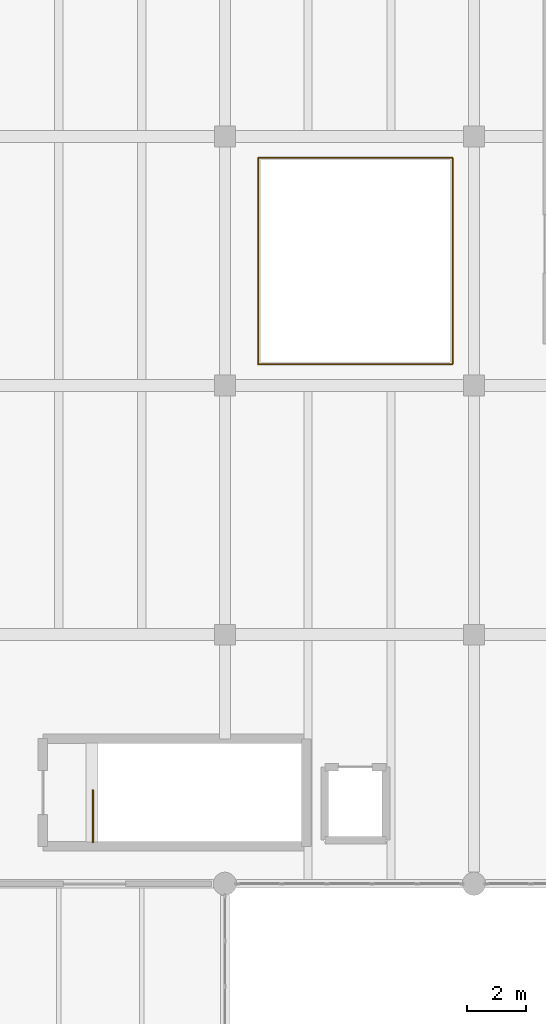
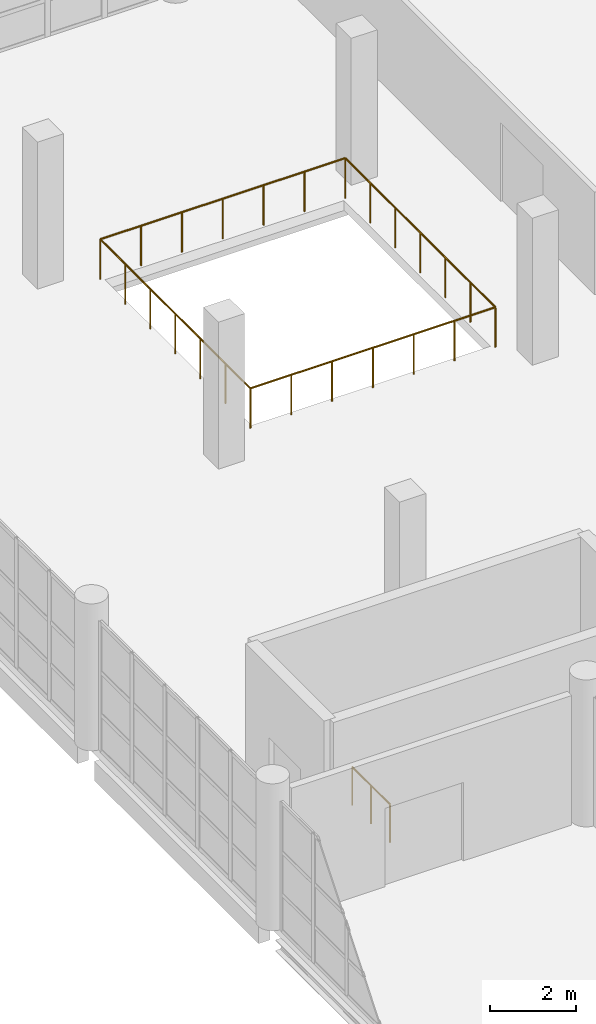
# One storey, part 168 of 177: 2 railings.
"""IFC4 building model written with IfcOpenShell, lengths in metres."""

import ifcopenshell
import ifcopenshell.guid

model = None  # the IFC model being written
_history = None  # IfcOwnerHistory: only IFC2X3 demands one
_inside = {}  # id of a spatial element -> (the spatial element, [elements in it])
_under = {}  # id of a project, library or spatial element -> (it, [spatial elements below it])
_declared = {}  # id of a project -> (the project, [libraries it declares])
_typed = {}  # id of a type object -> (the type object, [elements of that type])
_made_of = {}  # id of a material, layer set ... -> (it, [elements and type objects made of it])


def new_model(schema):
    """Start an empty IFC model of exactly this schema.

    Asked for "IFC4X3", IfcOpenShell would pick the latest addendum, in which some entities
    have other attributes; the version numbers below select the first issue.
    IFC2X3 requires an IfcOwnerHistory on every rooted entity: one is made here for all.
    """
    global model, _history
    if schema == "IFC4X3":
        model = ifcopenshell.file(schema_version=(4, 3, 0, 0))
    else:
        model = ifcopenshell.file(schema=schema)
    _inside.clear()
    _under.clear()
    _declared.clear()
    _typed.clear()
    _made_of.clear()
    _history = None
    if model.schema == "IFC2X3":
        org = make("IfcOrganization", Name="unknown")
        user = make(
            "IfcPersonAndOrganization",
            ThePerson=make("IfcPerson", FamilyName="unknown"),
            TheOrganization=org,
        )
        app = make(
            "IfcApplication",
            ApplicationDeveloper=org,
            Version="unknown",
            ApplicationFullName="unknown",
            ApplicationIdentifier="unknown",
        )
        _history = make(
            "IfcOwnerHistory",
            OwningUser=user,
            OwningApplication=app,
            ChangeAction="ADDED",
            CreationDate=0,
        )
    return model


def make(cls, **values):
    """One entity of the class cls with the attributes given. An attribute that is None is left unset."""
    return model.create_entity(
        cls, **{name: value for name, value in values.items() if value is not None}
    )


def rooted(cls, **values):
    """An entity with a GlobalId (a new one), such as an element, a storey or a relation."""
    return make(cls, GlobalId=ifcopenshell.guid.new(), OwnerHistory=_history, **values)


def si_unit(unit_type, name, prefix=None):
    """IfcSIUnit, for example si_unit("LENGTHUNIT", "METRE", prefix="MILLI")."""
    return make("IfcSIUnit", UnitType=unit_type, Prefix=prefix, Name=name)


def assignment(units):
    """IfcUnitAssignment: the units of a project."""
    return None if units is None else make("IfcUnitAssignment", Units=units)


def point(xyz):
    """IfcCartesianPoint."""
    return None if xyz is None else make("IfcCartesianPoint", Coordinates=xyz)


def direction(xyz):
    """IfcDirection."""
    return None if xyz is None else make("IfcDirection", DirectionRatios=xyz)


def frame(location, z_axis=None, x_axis=None):
    """IfcAxis2Placement3D, a coordinate frame: its origin and axes. An axis left out is left unset."""
    return make(
        "IfcAxis2Placement3D",
        Location=point(location),
        Axis=direction(z_axis),
        RefDirection=direction(x_axis),
    )


def frame_2d(location, x_axis=None):
    """IfcAxis2Placement2D, a coordinate frame in the plane: its origin and x axis."""
    return make(
        "IfcAxis2Placement2D", Location=point(location), RefDirection=direction(x_axis)
    )


def origin():
    """The frame at (0, 0, 0) with its axes left unset."""
    return frame((0.0, 0.0, 0.0))


def origin_2d():
    """The frame at (0, 0) in the plane with its x axis left unset."""
    return frame_2d((0.0, 0.0))


def place(relative_to, where):
    """IfcLocalPlacement: puts the frame where relative to a parent placement (None: the world)."""
    return make(
        "IfcLocalPlacement", PlacementRelTo=relative_to, RelativePlacement=where
    )


def context(
    kind, dimensions, precision=None, world=None, true_north=None, identifier=None
):
    """IfcGeometricRepresentationContext, for example the 3D "Model" context."""
    return make(
        "IfcGeometricRepresentationContext",
        ContextIdentifier=identifier,
        ContextType=kind,
        CoordinateSpaceDimension=dimensions,
        Precision=precision,
        WorldCoordinateSystem=world,
        TrueNorth=true_north,
    )


def subcontext(parent, identifier, kind, view, scale=None):
    """IfcGeometricRepresentationSubContext, for example "Body" below "Model"."""
    return make(
        "IfcGeometricRepresentationSubContext",
        ContextIdentifier=identifier,
        ContextType=kind,
        ParentContext=parent,
        TargetScale=scale,
        TargetView=view,
    )


def project(units=None, contexts=None):
    """IfcProject with its units and contexts."""
    return rooted(
        "IfcProject",
        Name="project",
        RepresentationContexts=contexts,
        UnitsInContext=assignment(units),
    )


def spatial(cls, under=None, at=None, **own):
    """A site, building, storey or space (cls), placed at a placement, below another one or the project."""
    s = rooted(cls, ObjectPlacement=at, **own)
    if under is not None:
        _under.setdefault(under.id(), (under, []))[1].append(s)
    return s


def profile(cls, at=None, kind="AREA", **sizes):
    """A parametric profile (cls). Its sizes go by their IFC names, for example OverallWidth=200.0."""
    return make(cls, ProfileType=kind, Position=at, **sizes)


def circle(**sizes):
    """IfcCircleProfileDef."""
    return profile("IfcCircleProfileDef", **sizes)


def extrude(swept, where, along, depth):
    """IfcExtrudedAreaSolid: the profile swept, set in the frame where, extruded along a direction by depth."""
    return make(
        "IfcExtrudedAreaSolid",
        SweptArea=swept,
        Position=where,
        ExtrudedDirection=direction(along),
        Depth=depth,
    )


def shape(context_of_items, identifier, shape_type, items):
    """IfcShapeRepresentation: the items that make up one representation, for example the "Body"."""
    return make(
        "IfcShapeRepresentation",
        ContextOfItems=context_of_items,
        RepresentationIdentifier=identifier,
        RepresentationType=shape_type,
        Items=items,
    )


def material(Name=None, Category=None):
    """IfcMaterial."""
    return make("IfcMaterial", Name=Name, Category=Category)


def made_of(thing, what):
    """Note that an element or type object is made of a material, layer set ...; save() writes the relation."""
    if what is not None:
        _made_of.setdefault(what.id(), (what, []))[1].append(thing)
    return thing


def type_object(cls, material=None, **own):
    """A type object (cls), such as IfcWallType, which elements share."""
    return made_of(rooted(cls, **own), material)


def element(
    cls,
    number,
    at=None,
    inside=None,
    cuts=None,
    type_object=None,
    material=None,
    context=None,
    identifier="Body",
    shape_type=None,
    held_by="IfcProductDefinitionShape",
    body=None,
    shapes=None,
    **own,
):
    """One element of the class cls, such as IfcWall. Its Tag is "e" and its number.

    at: its placement. inside: the storey or other place that contains it. cuts: it is an
    opening in that element (IfcRelVoidsElement). A single representation is given by context,
    identifier, shape_type and body (its items); several are given by shapes. held_by: the class
    of the entity that holds the representations. save() writes the other relations.
    """
    e = rooted(cls, Tag="e%d" % number, ObjectPlacement=at, **own)
    if body is not None:
        shapes = [shape(context, identifier, shape_type, body)]
    if shapes is not None:
        e.Representation = make(held_by, Representations=shapes)
    if inside is not None:
        _inside.setdefault(inside.id(), (inside, []))[1].append(e)
    if cuts is not None:
        rooted(
            "IfcRelVoidsElement", RelatingBuildingElement=cuts, RelatedOpeningElement=e
        )
    if type_object is not None:
        _typed.setdefault(type_object.id(), (type_object, []))[1].append(e)
    return made_of(e, material)


def aggregate(whole, parts):
    """IfcRelAggregates: a whole, such as a stair, and the parts it consists of."""
    return rooted("IfcRelAggregates", RelatingObject=whole, RelatedObjects=parts)


def save(model, path):
    """Write the relations noted so far, then the file.

    IfcRelAggregates (storeys below a building ...), IfcRelContainedInSpatialStructure (elements
    in a storey), IfcRelDefinesByType, IfcRelAssociatesMaterial and IfcRelDeclares: one each for
    every whole, place, type object, material and project.
    """
    for whole, parts in _under.values():
        aggregate(whole, parts)
    for where, things in _inside.values():
        rooted(
            "IfcRelContainedInSpatialStructure",
            RelatedElements=things,
            RelatingStructure=where,
        )
    for kind, things in _typed.values():
        rooted("IfcRelDefinesByType", RelatedObjects=things, RelatingType=kind)
    for what, things in _made_of.values():
        rooted("IfcRelAssociatesMaterial", RelatedObjects=things, RelatingMaterial=what)
    for by, libraries in _declared.values():
        rooted("IfcRelDeclares", RelatingContext=by, RelatedDefinitions=libraries)
    model.write(path)


model = new_model("IFC4")

# Units and contexts
model_context = context("Model", 3, precision=1e-05, world=origin(), true_north=direction((0.0, 1.0)))
body_context = subcontext(model_context, "Body", "Model", "MODEL_VIEW")
ifc_project = project(units=[si_unit("LENGTHUNIT", "METRE"), si_unit("AREAUNIT", "SQUARE_METRE"), si_unit("VOLUMEUNIT", "CUBIC_METRE"), si_unit("PLANEANGLEUNIT", "RADIAN"), si_unit("MASSUNIT", "GRAM", prefix="KILO"), si_unit("THERMODYNAMICTEMPERATUREUNIT", "KELVIN"), si_unit("POWERUNIT", "WATT")], contexts=[model_context])

# Site, building, storey
site_placement = place(None, origin())
site = spatial("IfcSite", under=ifc_project, at=site_placement, CompositionType="ELEMENT")
building_placement = place(site_placement, origin())
building = spatial("IfcBuilding", under=site, at=building_placement, Name="Mavoryth Pier Ferry Terminal", CompositionType="ELEMENT")
storey_placement = place(building_placement, frame((0.0, 0.0, 5.43994140625)))
storey = spatial("IfcBuildingStorey", under=building, at=storey_placement, Name="L01", CompositionType="ELEMENT", Elevation=5.43994140625)

# Railings
ifc_material_1 = material(Name="Bronze-Anodised Aluminium and Glass Balustrade", Category="aluminium")
railing_type_1 = type_object("IfcRailingType", Name="Guard-Atrium-Bronze1150", PredefinedType="GUARDRAIL", material=ifc_material_1)
railing_1_placement = place(storey_placement, frame((59.919921875, 89.919921875, 0.0)))
element("IfcRailing", 1, at=railing_1_placement, inside=storey, type_object=railing_type_1, Name="Guardrail GRD-L01-004", PredefinedType="GUARDRAIL", context=body_context, shape_type="SweptSolid", body=[
    extrude(circle(Radius=0.02392578125, at=origin_2d()), frame((0.0, 0.0, 1.1259765625), z_axis=(1.0, 0.0, 0.0), x_axis=(0.0, 1.0, 0.0)), (0.0, 0.0, 1.0), 6.56005859375),
    extrude(circle(Radius=0.02392578125, at=origin_2d()), frame((6.56005859375, 0.0, 1.1259765625), z_axis=(0.0, 1.0, 0.0), x_axis=(-1.0, 0.0, 0.0)), (0.0, 0.0, 1.0), 6.9599609375),
    extrude(circle(Radius=0.02392578125, at=origin_2d()), frame((6.56005859375, 6.9599609375, 1.1259765625), z_axis=(-1.0, 0.0, 0.0), x_axis=(0.0, -1.0, 0.0)), (0.0, 0.0, 1.0), 6.56005859375),
    extrude(circle(Radius=0.02392578125, at=origin_2d()), frame((0.0, 6.9599609375, 1.1259765625), z_axis=(0.0, -1.0, 0.0), x_axis=(1.0, 0.0, 0.0)), (0.0, 0.0, 1.0), 6.9599609375),
    extrude(circle(Radius=0.02099609375, at=origin_2d()), origin(), (0.0, 0.0, 1.0), 1.101806640625),
    extrude(circle(Radius=0.02099609375, at=origin_2d()), frame((1.09326171875, 0.0, 0.0)), (0.0, 0.0, 1.0), 1.101806640625),
    extrude(circle(Radius=0.02099609375, at=origin_2d()), frame((2.186767578125, 0.0, 0.0)), (0.0, 0.0, 1.0), 1.101806640625),
    extrude(circle(Radius=0.02099609375, at=origin_2d()), frame((3.280029296875, 0.0, 0.0)), (0.0, 0.0, 1.0), 1.101806640625),
    extrude(circle(Radius=0.02099609375, at=origin_2d()), frame((4.373291015625, 0.0, 0.0)), (0.0, 0.0, 1.0), 1.101806640625),
    extrude(circle(Radius=0.02099609375, at=origin_2d()), frame((5.466796875, 0.0, 0.0)), (0.0, 0.0, 1.0), 1.101806640625),
    extrude(circle(Radius=0.02099609375, at=origin_2d()), frame((6.56005859375, 0.0, 0.0)), (0.0, 0.0, 1.0), 1.101806640625),
    extrude(circle(Radius=0.02099609375, at=origin_2d()), frame((6.56005859375, 1.159912109375, 0.0)), (0.0, 0.0, 1.0), 1.101806640625),
    extrude(circle(Radius=0.02099609375, at=origin_2d()), frame((6.56005859375, 2.320068359375, 0.0)), (0.0, 0.0, 1.0), 1.101806640625),
    extrude(circle(Radius=0.02099609375, at=origin_2d()), frame((6.56005859375, 3.47998046875, 0.0)), (0.0, 0.0, 1.0), 1.101806640625),
    extrude(circle(Radius=0.02099609375, at=origin_2d()), frame((6.56005859375, 4.639892578125, 0.0)), (0.0, 0.0, 1.0), 1.101806640625),
    extrude(circle(Radius=0.02099609375, at=origin_2d()), frame((6.56005859375, 5.800048828125, 0.0)), (0.0, 0.0, 1.0), 1.101806640625),
    extrude(circle(Radius=0.02099609375, at=origin_2d()), frame((6.56005859375, 6.9599609375, 0.0)), (0.0, 0.0, 1.0), 1.101806640625),
    extrude(circle(Radius=0.02099609375, at=origin_2d()), frame((5.466796875, 6.9599609375, 0.0)), (0.0, 0.0, 1.0), 1.101806640625),
    extrude(circle(Radius=0.02099609375, at=origin_2d()), frame((4.373291015625, 6.9599609375, 0.0)), (0.0, 0.0, 1.0), 1.101806640625),
    extrude(circle(Radius=0.02099609375, at=origin_2d()), frame((3.280029296875, 6.9599609375, 0.0)), (0.0, 0.0, 1.0), 1.101806640625),
    extrude(circle(Radius=0.02099609375, at=origin_2d()), frame((2.186767578125, 6.9599609375, 0.0)), (0.0, 0.0, 1.0), 1.101806640625),
    extrude(circle(Radius=0.02099609375, at=origin_2d()), frame((1.09326171875, 6.9599609375, 0.0)), (0.0, 0.0, 1.0), 1.101806640625),
    extrude(circle(Radius=0.02099609375, at=origin_2d()), frame((0.0, 6.9599609375, 0.0)), (0.0, 0.0, 1.0), 1.101806640625),
    extrude(circle(Radius=0.02099609375, at=origin_2d()), frame((0.0, 5.800048828125, 0.0)), (0.0, 0.0, 1.0), 1.101806640625),
    extrude(circle(Radius=0.02099609375, at=origin_2d()), frame((0.0, 4.639892578125, 0.0)), (0.0, 0.0, 1.0), 1.101806640625),
    extrude(circle(Radius=0.02099609375, at=origin_2d()), frame((0.0, 3.47998046875, 0.0)), (0.0, 0.0, 1.0), 1.101806640625),
    extrude(circle(Radius=0.02099609375, at=origin_2d()), frame((0.0, 2.320068359375, 0.0)), (0.0, 0.0, 1.0), 1.101806640625),
    extrude(circle(Radius=0.02099609375, at=origin_2d()), frame((0.0, 1.159912109375, 0.0)), (0.0, 0.0, 1.0), 1.101806640625),
])
ifc_material_2 = material(Name="Painted Galvanised Steel Balustrade", Category="steel")
railing_type_2 = type_object("IfcRailingType", Name="Guard-Stair-Steel1100", PredefinedType="GUARDRAIL", material=ifc_material_2)
railing_2_placement = place(storey_placement, frame((54.35009765625, 73.800048828125, 0.0)))
element("IfcRailing", 2, at=railing_2_placement, inside=storey, type_object=railing_type_2, Name="L01 ST04 top well guard 1", PredefinedType="GUARDRAIL", context=body_context, shape_type="SweptSolid", body=[
    extrude(circle(Radius=0.02392578125, at=origin_2d()), frame((0.0, 0.0, 1.076171875), z_axis=(0.0, 1.0, 0.0), x_axis=(-1.0, 0.0, 0.0)), (0.0, 0.0, 1.0), 1.75),
    extrude(circle(Radius=0.02099609375, at=origin_2d()), origin(), (0.0, 0.0, 1.0), 1.052001953125),
    extrude(circle(Radius=0.02099609375, at=origin_2d()), frame((0.0, 0.875, 0.0)), (0.0, 0.0, 1.0), 1.052001953125),
    extrude(circle(Radius=0.02099609375, at=origin_2d()), frame((0.0, 1.75, 0.0)), (0.0, 0.0, 1.0), 1.052001953125),
])

save(model, "model.ifc")
